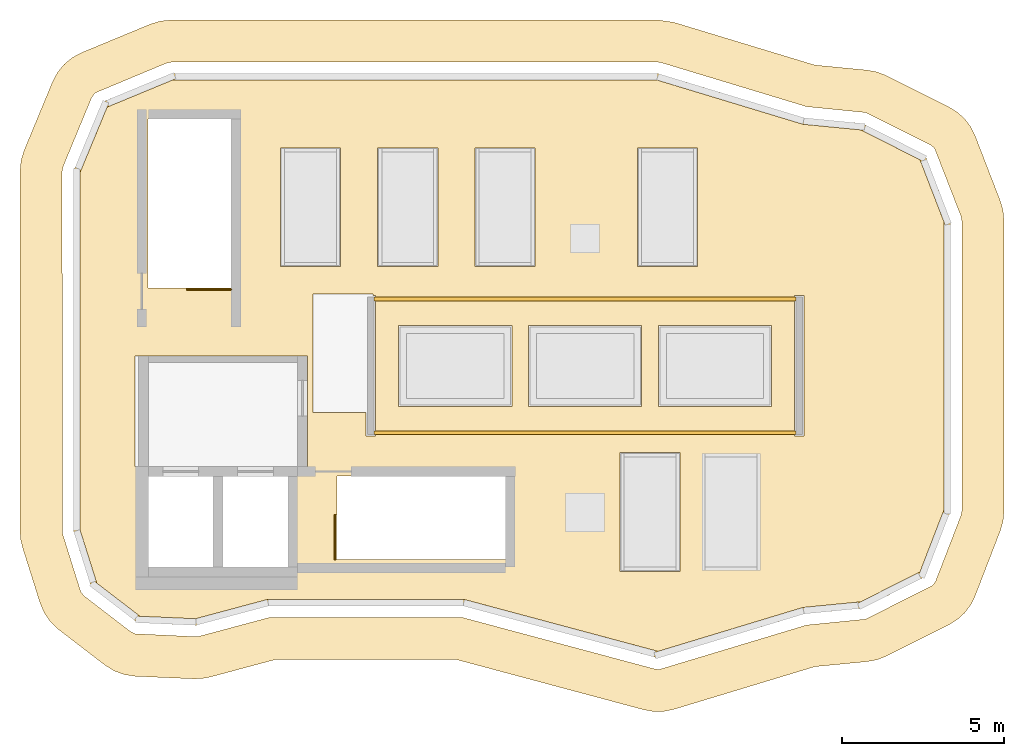
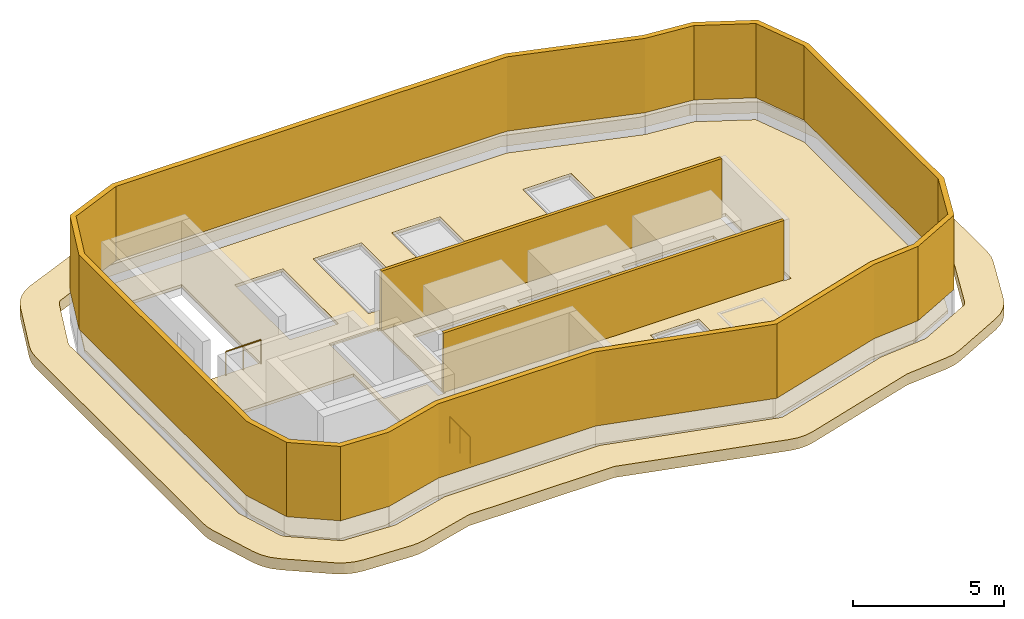
# One storey, part 3 of 4: 3 coverings, 2 railings, 2 shading devices.
"""IFC4 building model written with IfcOpenShell, lengths in metres."""

from ifc_helpers import new_model, si_unit, direction, frame, origin, origin_2d, place, context, subcontext, project, spatial, polyline, rectangle, circle, outline, extrude, material, layer, layer_set, type_object, element, save


model = new_model("IFC4")

# Units and contexts
model_context = context("Model", 3, precision=1e-05, world=origin(), true_north=direction((0.0, 1.0)))
body_context = subcontext(model_context, "Body", "Model", "MODEL_VIEW")
ifc_project = project(units=[si_unit("LENGTHUNIT", "METRE"), si_unit("AREAUNIT", "SQUARE_METRE"), si_unit("VOLUMEUNIT", "CUBIC_METRE"), si_unit("PLANEANGLEUNIT", "RADIAN"), si_unit("MASSUNIT", "GRAM", prefix="KILO")], contexts=[model_context])

# Site, building, storey
site_placement = place(None, origin())
site = spatial("IfcSite", under=ifc_project, at=site_placement, CompositionType="ELEMENT")
building_placement = place(site_placement, origin())
building = spatial("IfcBuilding", under=site, at=building_placement, Name="Plateau Cross Towers", CompositionType="ELEMENT")
storey_placement = place(building_placement, frame((0.0, 0.0, 312.39990234375)))
storey = spatial("IfcBuildingStorey", under=building, at=storey_placement, Name="Roof", CompositionType="ELEMENT", Elevation=312.39990234375)

# Covering
ifc_material_1 = material(Name="Anodised aluminium fascia", Category="aluminium")
ifc_layer_1 = layer(ifc_material_1, 0.449951171875)
ifc_layer_set_1 = layer_set([ifc_layer_1], Name="Anodised aluminium fascia")
covering_type_1 = type_object("IfcCoveringType", Name="Crown cap soffit 450", PredefinedType="CLADDING", material=ifc_layer_set_1)
covering_1_placement = place(storey_placement, origin())
element("IfcCovering", 1, at=covering_1_placement, inside=storey, type_object=covering_type_1, Name="Crown cap soffit", PredefinedType="CLADDING", context=body_context, shape_type="SweptSolid", body=[
    extrude(outline(polyline([(1.901611328125, -0.558349609375), (1.56982421875, -0.509521484375), (1.254638671875, -0.394775390625), (0.96923828125, -0.21875), (-0.462158203125, 0.879638671875), (-0.7060546875, 1.109619140625), (-0.8984375, 1.384521484375), (-1.03125, 1.6923828125), (-1.57373046875, 3.4130859375), (-1.630859375, 3.658203125), (-1.64990234375, 3.9091796875), (-1.64990234375, 15.0), (-1.618408203125, 15.32177734375), (-1.5244140625, 15.63134765625), (-0.645751953125, 17.752685546875), (-0.4931640625, 18.0380859375), (-0.2880859375, 18.2880859375), (-0.0380859375, 18.4931640625), (0.247314453125, 18.645751953125), (2.36865234375, 19.5244140625), (2.67822265625, 19.618408203125), (3.0, 19.64990234375), (18.0, 19.64990234375), (18.478271484375, 19.5791015625), (22.822021484375, 18.26318359375), (24.44921875, 18.105224609375), (24.747314453125, 18.04833984375), (25.030029296875, 17.937744140625), (26.961669921875, 16.968017578125), (27.21923828125, 16.807373046875), (27.443115234375, 16.602294921875), (27.625732421875, 16.359619140625), (27.7607421875, 16.087646484375), (28.539306640625, 14.071533203125), (28.6220703125, 13.779296875), (28.64990234375, 13.47705078125), (28.64990234375, 4.52294921875), (28.6220703125, 4.220703125), (28.539306640625, 3.928466796875), (27.7607421875, 1.912353515625), (27.625732421875, 1.640380859375), (27.443115234375, 1.397705078125), (27.21923828125, 1.192626953125), (26.961669921875, 1.031982421875), (25.030029296875, 0.062255859375), (24.747314453125, -0.04833984375), (24.44921875, -0.105224609375), (22.822021484375, -0.26318359375), (18.478271484375, -1.5791015625), (18.17919921875, -1.64013671875), (17.8740234375, -1.645263671875), (17.5732421875, -1.59375), (11.782958984375, -0.043212890625), (6.217041015625, -0.043212890625), (4.202880859375, -0.58251953125), (3.95556640625, -0.62890625), (3.703857421875, -0.63720703125), (1.901611328125, -0.558349609375)]), holes=[polyline([(3.86669921875, 0.673095703125), (6.046142578125, 1.2568359375), (11.953857421875, 1.2568359375), (17.909423828125, -0.338134765625), (18.0380859375, -0.347900390625), (22.568359375, 1.018310546875), (24.386962890625, 1.20068359375), (26.43310546875, 2.22802734375), (26.48046875, 2.271484375), (26.5478515625, 2.380615234375), (27.326416015625, 4.396728515625), (27.35009765625, 4.52294921875), (27.35009765625, 13.47705078125), (27.326416015625, 13.603271484375), (26.519287109375, 15.677001953125), (26.48046875, 15.728515625), (26.37841796875, 15.80615234375), (24.386962890625, 16.79931640625), (22.568359375, 16.981689453125), (18.1015625, 18.3349609375), (18.0, 18.35009765625), (3.0, 18.35009765625), (2.865966796875, 18.3232421875), (0.684326171875, 17.412353515625), (0.631103515625, 17.368896484375), (0.555419921875, 17.25537109375), (-0.3232421875, 15.134033203125), (-0.35009765625, 15.0), (-0.345947265625, 3.85595703125), (0.208740234375, 2.083251953125), (0.23681640625, 2.01806640625), (0.329345703125, 1.910888671875), (1.7607421875, 0.8125), (1.887939453125, 0.750732421875), (3.7607421875, 0.66162109375), (3.86669921875, 0.673095703125)])]), origin(), (0.0, 0.0, 1.0), 0.4501953125),
])

# Shading devices
ifc_material_2 = material(Name="Anodised aluminium louvres", Category="aluminium")
ifc_layer_2 = layer(ifc_material_2, 0.1201171875)
ifc_layer_set_2 = layer_set([ifc_layer_2], Name="Anodised aluminium louvres")
shading_device_type = type_object("IfcShadingDeviceType", Name="Louvre screen 2400", PredefinedType="USERDEFINED", material=ifc_layer_set_2)
for number, where, z_axis, x_axis, name in (
    (2, (15.75, 11.06005859375, 0.1201171875), (0.0, 0.0, 1.0), (1.0, 0.0, 0.0), "Louvre screen north"),
    (3, (15.75, 6.93994140625, 0.1201171875), (0.0, 0.0, 1.0), (1.0, 0.0, 0.0), "Louvre screen south"),
):
    element("IfcShadingDevice", number, at=place(storey_placement, frame(where, z_axis=z_axis, x_axis=x_axis)), inside=storey, type_object=shading_device_type, Name=name, ObjectType="SCREEN", PredefinedType="USERDEFINED", context=body_context, shape_type="SweptSolid", body=[
        extrude(rectangle(XDim=13.0, YDim=0.1201171875, at=origin_2d()), origin(), (0.0, 0.0, 1.0), 2.39990234375),
    ])

# Railings
ifc_material_3 = material(Name="Stainless steel and toughened glass", Category="steel")
railing_type = type_object("IfcRailingType", Name="RL-GUARD-1100", PredefinedType="GUARDRAIL", material=ifc_material_3)
railing_1_placement = place(storey_placement, frame((4.85009765625, 11.35009765625, 0.0)))
element("IfcRailing", 4, at=railing_1_placement, inside=storey, type_object=railing_type, Name="Roof ST-1 top well guard 1", PredefinedType="GUARDRAIL", context=body_context, shape_type="SweptSolid", body=[
    extrude(circle(Radius=0.02392578125, at=origin_2d()), frame((0.0, 0.0, 1.076171875), z_axis=(-1.0, 0.0, 0.0), x_axis=(0.0, -1.0, 0.0)), (0.0, 0.0, 1.0), 1.35009765625),
    extrude(circle(Radius=0.02099609375, at=origin_2d()), origin(), (0.0, 0.0, 1.0), 1.052001953125),
    extrude(circle(Radius=0.02099609375, at=origin_2d()), frame((-0.675048828125, 0.0, 0.0)), (0.0, 0.0, 1.0), 1.052001953125),
    extrude(circle(Radius=0.02099609375, at=origin_2d()), frame((-1.35009765625, 0.0, 0.0)), (0.0, 0.0, 1.0), 1.052001953125),
])
railing_2_placement = place(storey_placement, frame((8.050048828125, 3.050048828125, 0.0)))
element("IfcRailing", 5, at=railing_2_placement, inside=storey, type_object=railing_type, Name="Roof ST-2 top well guard 1", PredefinedType="GUARDRAIL", context=body_context, shape_type="SweptSolid", body=[
    extrude(circle(Radius=0.02392578125, at=origin_2d()), frame((0.0, 0.0, 1.076171875), z_axis=(0.0, 1.0, 0.0), x_axis=(-1.0, 0.0, 0.0)), (0.0, 0.0, 1.0), 1.349853515625),
    extrude(circle(Radius=0.02099609375, at=origin_2d()), origin(), (0.0, 0.0, 1.0), 1.052001953125),
    extrude(circle(Radius=0.02099609375, at=origin_2d()), frame((0.0, 0.6748046875, 0.0)), (0.0, 0.0, 1.0), 1.052001953125),
    extrude(circle(Radius=0.02099609375, at=origin_2d()), frame((0.0, 1.349853515625, 0.0)), (0.0, 0.0, 1.0), 1.052001953125),
])

# Coverings
ifc_material_4 = material(Name="Bituminous roofing membrane")
ifc_layer_3 = layer(ifc_material_4, 0.1201171875)
ifc_layer_set_3 = layer_set([ifc_layer_3], Name="Bituminous roofing membrane")
covering_type_2 = type_object("IfcCoveringType", Name="Roof membrane build-up 120", PredefinedType="ROOFING", material=ifc_layer_set_3)
covering_2_placement = place(storey_placement, origin())
element("IfcCovering", 6, at=covering_2_placement, inside=storey, type_object=covering_type_2, Name="Roof covering 1", PredefinedType="ROOFING", context=body_context, shape_type="SweptSolid", body=[
    extrude(outline(polyline([(0.199951171875, 3.93994140625), (0.199951171875, 14.960205078125), (1.03173828125, 16.96826171875), (3.039794921875, 17.800048828125), (17.970458984375, 17.800048828125), (22.4609375, 16.439697265625), (24.2333984375, 16.267578125), (26.062744140625, 15.349365234375), (26.800048828125, 13.439697265625), (26.800048828125, 4.560302734375), (26.062744140625, 2.650634765625), (24.2333984375, 1.732421875), (22.4609375, 1.560302734375), (17.99658203125, 0.2080078125), (12.0263671875, 1.806884765625), (5.9736328125, 1.806884765625), (3.754150390625, 1.21240234375), (2.04541015625, 1.287353515625), (0.71435546875, 2.308837890625), (0.199951171875, 3.93994140625)]), holes=[polyline([(2.294921875, 2.794921875), (2.294921875, 5.60498046875), (4.304931640625, 5.60498046875), (4.304931640625, 2.794921875), (2.294921875, 2.794921875)]), polyline([(4.594970703125, 5.60498046875), (6.60498046875, 5.60498046875), (6.60498046875, 2.794921875), (4.594970703125, 2.794921875), (4.594970703125, 5.60498046875)]), polyline([(8.10498046875, 5.60498046875), (13.304931640625, 5.60498046875), (13.304931640625, 3.044921875), (8.094970703125, 3.044921875), (8.094970703125, 4.405029296875), (8.10498046875, 4.405029296875), (8.10498046875, 5.60498046875)]), polyline([(1.89501953125, 9.304931640625), (7.205078125, 9.304931640625), (7.205078125, 5.89501953125), (1.89501953125, 5.89501953125), (1.89501953125, 9.304931640625)]), polyline([(7.364990234375, 7.56494140625), (7.364990234375, 11.215087890625), (9.215087890625, 11.215087890625), (9.215087890625, 11.1650390625), (9.294921875, 11.1650390625), (9.294921875, 6.8349609375), (9.0048828125, 6.8349609375), (9.0048828125, 7.56494140625), (7.364990234375, 7.56494140625)]), polyline([(8.215087890625, 12.06494140625), (6.364990234375, 12.06494140625), (6.364990234375, 15.715087890625), (8.215087890625, 15.715087890625), (8.215087890625, 12.06494140625)]), polyline([(11.215087890625, 15.715087890625), (11.215087890625, 12.06494140625), (9.364990234375, 12.06494140625), (9.364990234375, 15.715087890625), (11.215087890625, 15.715087890625)]), polyline([(2.294921875, 11.405029296875), (2.294921875, 16.60498046875), (4.85498046875, 16.60498046875), (4.85498046875, 11.39501953125), (3.4951171875, 11.39501953125), (3.4951171875, 11.405029296875), (2.294921875, 11.405029296875)]), polyline([(18.675048828125, 6.324951171875), (18.675048828125, 2.675048828125), (16.824951171875, 2.675048828125), (16.824951171875, 6.324951171875), (18.675048828125, 6.324951171875)]), polyline([(13.4951171875, 10.2451171875), (13.4951171875, 7.7548828125), (10.0048828125, 7.7548828125), (10.0048828125, 10.2451171875), (13.4951171875, 10.2451171875)]), polyline([(17.4951171875, 10.2451171875), (17.4951171875, 7.7548828125), (14.0048828125, 7.7548828125), (14.0048828125, 10.2451171875), (17.4951171875, 10.2451171875)]), polyline([(21.4951171875, 7.7548828125), (18.0048828125, 7.7548828125), (18.0048828125, 10.2451171875), (21.4951171875, 10.2451171875), (21.4951171875, 7.7548828125)]), polyline([(22.4951171875, 6.8349609375), (22.205078125, 6.8349609375), (22.205078125, 11.1650390625), (22.4951171875, 11.1650390625), (22.4951171875, 6.8349609375)]), polyline([(12.364990234375, 12.06494140625), (12.364990234375, 15.715087890625), (14.215087890625, 15.715087890625), (14.215087890625, 12.06494140625), (12.364990234375, 12.06494140625)]), polyline([(17.364990234375, 12.06494140625), (17.364990234375, 15.715087890625), (19.215087890625, 15.715087890625), (19.215087890625, 12.06494140625), (17.364990234375, 12.06494140625)])]), origin(), (0.0, 0.0, 1.0), 0.1201171875),
])
ifc_layer_4 = layer(ifc_material_1, 0.199951171875)
ifc_layer_set_4 = layer_set([ifc_layer_4], Name="Anodised aluminium fascia")
covering_type_3 = type_object("IfcCoveringType", Name="Roof plant screen 200", PredefinedType="CLADDING", material=ifc_layer_set_4)
covering_3_placement = place(storey_placement, frame((0.0, 0.0, 1.0)))
element("IfcCovering", 7, at=covering_3_placement, inside=storey, type_object=covering_type_3, Name="Roof plant screen", PredefinedType="CLADDING", context=body_context, shape_type="SweptSolid", body=[
    extrude(outline(polyline([(1.9736328125, 1.090087890625), (0.54248046875, 2.1884765625), (0.0, 3.9091796875), (0.0, 15.0), (0.878662109375, 17.121337890625), (3.0, 18.0), (18.0, 18.0), (22.5, 16.63671875), (24.289794921875, 16.463134765625), (26.221435546875, 15.493408203125), (27.0, 13.47705078125), (27.0, 4.52294921875), (26.221435546875, 2.506591796875), (24.289794921875, 1.536865234375), (22.5, 1.36328125), (18.0, 0.0), (12.0, 1.60693359375), (6.0, 1.60693359375), (3.776123046875, 1.01123046875), (1.9736328125, 1.090087890625)]), holes=[polyline([(5.9736328125, 1.806884765625), (12.0263671875, 1.806884765625), (17.99658203125, 0.2080078125), (22.4609375, 1.560302734375), (24.2333984375, 1.732421875), (26.062744140625, 2.650634765625), (26.800048828125, 4.560302734375), (26.800048828125, 13.439697265625), (26.062744140625, 15.349365234375), (24.2333984375, 16.267578125), (22.4609375, 16.439697265625), (17.970458984375, 17.800048828125), (3.039794921875, 17.800048828125), (1.03173828125, 16.96826171875), (0.199951171875, 14.960205078125), (0.199951171875, 3.93994140625), (0.71435546875, 2.308837890625), (2.04541015625, 1.287353515625), (3.754150390625, 1.21240234375), (5.9736328125, 1.806884765625)])]), origin(), (0.0, 0.0, 1.0), 3.0),
])

save(model, "model.ifc")
